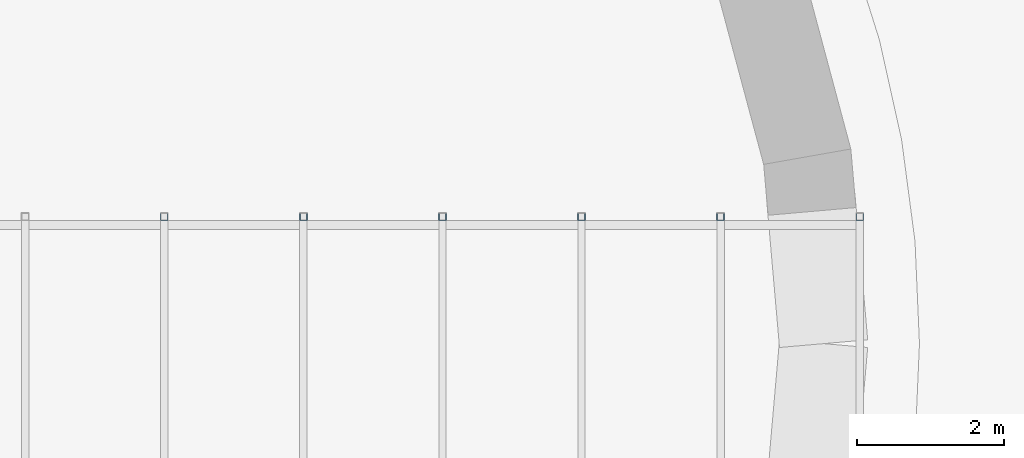
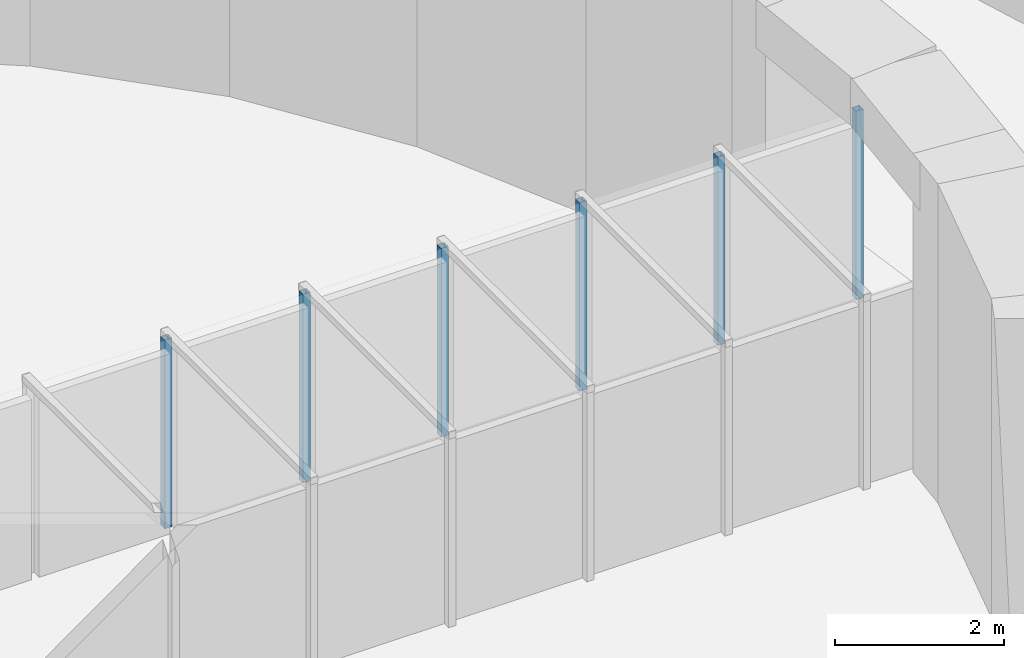
# One storey, part 17 of 85: 6 members, 1 element without a shape of its own.
"""IFC4 building model written with IfcOpenShell, lengths in metres."""

from ifc_helpers import new_model, si_unit, direction, frame, origin, origin_2d, place, context, subcontext, project, spatial, hollow_rectangle, extrude, material, material_profile, profile_set, type_object, element, aggregate, save


model = new_model("IFC4")

# Units and contexts
model_context = context("Model", 3, precision=1e-05, world=origin(), true_north=direction((0.0, 1.0)))
body_context = subcontext(model_context, "Body", "Model", "MODEL_VIEW")
ifc_project = project(units=[si_unit("LENGTHUNIT", "METRE"), si_unit("AREAUNIT", "SQUARE_METRE"), si_unit("VOLUMEUNIT", "CUBIC_METRE"), si_unit("PLANEANGLEUNIT", "RADIAN"), si_unit("MASSUNIT", "GRAM", prefix="KILO")], contexts=[model_context])

# Site, building, storey
site_placement = place(None, origin())
site = spatial("IfcSite", under=ifc_project, at=site_placement, CompositionType="ELEMENT")
building_placement = place(site_placement, origin())
building = spatial("IfcBuilding", under=site, at=building_placement, Name="Volute Hill Aquarium", CompositionType="ELEMENT")
storey_placement = place(building_placement, origin())
storey = spatial("IfcBuildingStorey", under=building, at=storey_placement, Name="L01", CompositionType="ELEMENT", Elevation=0.0)

# Curtain wall, members
ifc_material_1 = material(Name="Acrylic PMMA")
curtain_wall_type = type_object("IfcCurtainWallType", Name="Viewing tunnel acrylic assembly", PredefinedType="NOTDEFINED", material=ifc_material_1)
curtain_wall_placement = place(storey_placement, origin())
curtain_wall = element("IfcCurtainWall", 1, at=curtain_wall_placement, inside=storey, type_object=curtain_wall_type, Name="Viewing tunnel acrylic assembly", PredefinedType="NOTDEFINED")
ifc_material_2 = material(Name="Steel S355", Category="steel")
ifc_material_profile = material_profile(ifc_material_2, hollow_rectangle(XDim=0.10009765625, YDim=0.10009765625, WallThickness=0.0048828125, at=origin_2d()), Name="RHS 100x100x5")
ifc_profile_set = profile_set([ifc_material_profile], Name="Steel S355")
member_type = type_object("IfcMemberType", Name="Tunnel ring frame post RHS 100x100x5 S355", PredefinedType="USERDEFINED", material=ifc_profile_set)
member_1_placement = place(storey_placement, frame((5.65869140625, 1.719970703125, 0.0), z_axis=(0.0, 0.0, 1.0), x_axis=(1.0, 0.0, 0.0)))
member_1 = element("IfcMember", 2, at=member_1_placement, type_object=member_type, Name="Tunnel ring frame post 12", ObjectType="Tunnel frame", PredefinedType="USERDEFINED", context=body_context, shape_type="SweptSolid", body=[
    extrude(hollow_rectangle(XDim=0.10009765625, YDim=0.10009765625, WallThickness=0.0048828125, at=origin_2d()), origin(), (0.0, 0.0, 1.0), 2.719970703125),
])
member_2_placement = place(storey_placement, frame((7.544921875, 1.719970703125, 0.0), z_axis=(0.0, 0.0, 1.0), x_axis=(1.0, 0.0, 0.0)))
member_2 = element("IfcMember", 3, at=member_2_placement, type_object=member_type, Name="Tunnel ring frame post 13", ObjectType="Tunnel frame", PredefinedType="USERDEFINED", context=body_context, shape_type="SweptSolid", body=[
    extrude(hollow_rectangle(XDim=0.10009765625, YDim=0.10009765625, WallThickness=0.0048828125, at=origin_2d()), origin(), (0.0, 0.0, 1.0), 2.719970703125),
])
member_3_placement = place(storey_placement, frame((9.43115234375, 1.719970703125, 0.0), z_axis=(0.0, 0.0, 1.0), x_axis=(1.0, 0.0, 0.0)))
member_3 = element("IfcMember", 4, at=member_3_placement, type_object=member_type, Name="Tunnel ring frame post 14", ObjectType="Tunnel frame", PredefinedType="USERDEFINED", context=body_context, shape_type="SweptSolid", body=[
    extrude(hollow_rectangle(XDim=0.10009765625, YDim=0.10009765625, WallThickness=0.0048828125, at=origin_2d()), origin(), (0.0, 0.0, 1.0), 2.719970703125),
])
member_4_placement = place(storey_placement, frame((11.3173828125, 1.719970703125, 0.0), z_axis=(0.0, 0.0, 1.0), x_axis=(1.0, 0.0, 0.0)))
member_4 = element("IfcMember", 5, at=member_4_placement, type_object=member_type, Name="Tunnel ring frame post 15", ObjectType="Tunnel frame", PredefinedType="USERDEFINED", context=body_context, shape_type="SweptSolid", body=[
    extrude(hollow_rectangle(XDim=0.10009765625, YDim=0.10009765625, WallThickness=0.0048828125, at=origin_2d()), origin(), (0.0, 0.0, 1.0), 2.719970703125),
])
member_5_placement = place(storey_placement, frame((13.203857421875, 1.719970703125, 0.0), z_axis=(0.0, 0.0, 1.0), x_axis=(1.0, 0.0, 0.0)))
member_5 = element("IfcMember", 6, at=member_5_placement, type_object=member_type, Name="Tunnel ring frame post 16", ObjectType="Tunnel frame", PredefinedType="USERDEFINED", context=body_context, shape_type="SweptSolid", body=[
    extrude(hollow_rectangle(XDim=0.10009765625, YDim=0.10009765625, WallThickness=0.0048828125, at=origin_2d()), origin(), (0.0, 0.0, 1.0), 2.719970703125),
])
member_6_placement = place(storey_placement, frame((15.090087890625, 1.719970703125, 0.0), z_axis=(0.0, 0.0, 1.0), x_axis=(1.0, 0.0, 0.0)))
member_6 = element("IfcMember", 7, at=member_6_placement, type_object=member_type, Name="Tunnel ring frame post 17", ObjectType="Tunnel frame", PredefinedType="USERDEFINED", context=body_context, shape_type="SweptSolid", body=[
    extrude(hollow_rectangle(XDim=0.10009765625, YDim=0.10009765625, WallThickness=0.0048828125, at=origin_2d()), origin(), (0.0, 0.0, 1.0), 2.719970703125),
])
aggregate(curtain_wall, [member_1, member_2, member_3, member_4, member_5, member_6])

save(model, "model.ifc")
